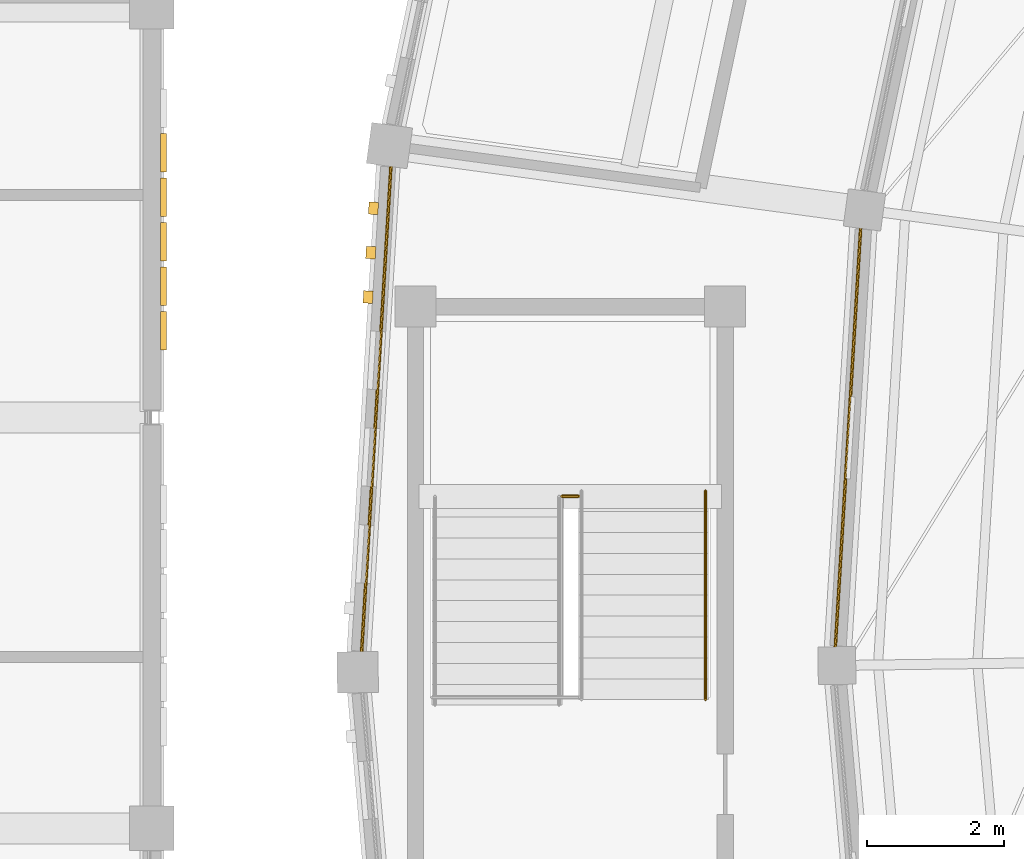
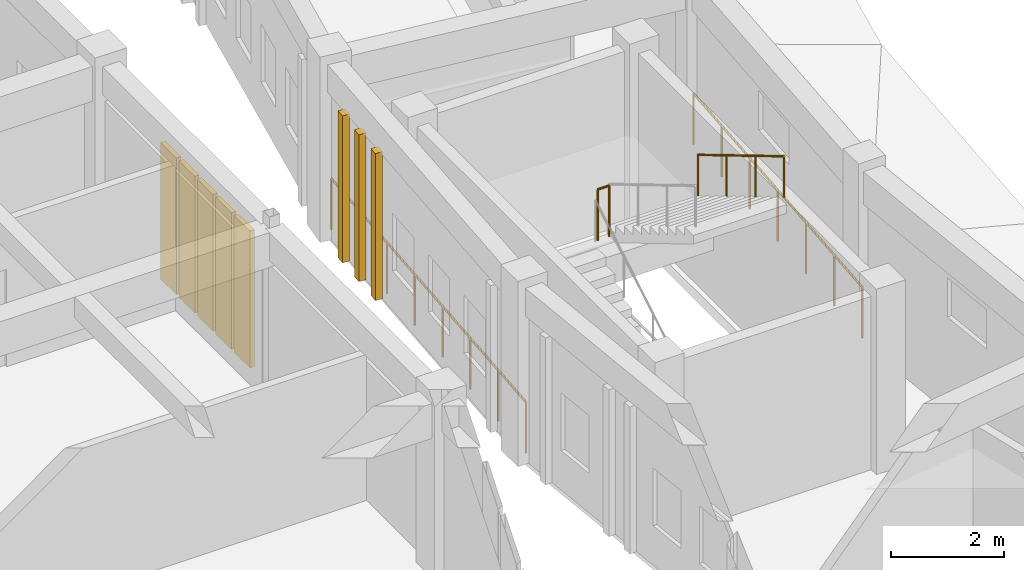
# One storey, part 99 of 112: 5 shading devices, 4 railings, 3 coverings.
"""IFC4 building model written with IfcOpenShell, lengths in metres."""

from ifc_helpers import new_model, si_unit, direction, frame, origin, origin_2d, place, context, subcontext, project, spatial, rectangle, circle, extrude, material, layer, layer_set, type_object, element, save


model = new_model("IFC4")

# Units and contexts
model_context = context("Model", 3, precision=1e-05, world=origin(), true_north=direction((0.0, 1.0)))
body_context = subcontext(model_context, "Body", "Model", "MODEL_VIEW")
ifc_project = project(units=[si_unit("LENGTHUNIT", "METRE"), si_unit("AREAUNIT", "SQUARE_METRE"), si_unit("VOLUMEUNIT", "CUBIC_METRE"), si_unit("PLANEANGLEUNIT", "RADIAN"), si_unit("MASSUNIT", "GRAM", prefix="KILO")], contexts=[model_context])

# Site, building, storey
site_placement = place(None, origin())
site = spatial("IfcSite", under=ifc_project, at=site_placement, CompositionType="ELEMENT")
building_placement = place(site_placement, origin())
building = spatial("IfcBuilding", under=site, at=building_placement, Name="Celadon Cloister-Ring School", CompositionType="ELEMENT")
storey_placement = place(building_placement, frame((0.0, 0.0, 8.5)))
storey = spatial("IfcBuildingStorey", under=building, at=storey_placement, Name="L02", CompositionType="ELEMENT", Elevation=8.5)

# Coverings
ifc_material_1 = material(Name="Perforated terracotta clay brick masonry", Category="masonry")
ifc_layer = layer(ifc_material_1, 0.139892578125)
ifc_layer_set = layer_set([ifc_layer], Name="Perforated terracotta clay brick masonry")
covering_type = type_object("IfcCoveringType", Name="CV-SC1", PredefinedType="CLADDING", material=ifc_layer_set)
for number, where, z_axis, x_axis, name in (
    (1, (35.157958984375, 63.759033203125, 0.0), (0.0, 0.0, 1.0), (0.060142636109, 0.998189793237, 0.0), "Brick Screen Rib 0249"),
    (2, (35.197021484375, 64.407958984375, 0.0), (0.0, 0.0, 1.0), (0.060142636109, 0.998189793237, 0.0), "Brick Screen Rib 0250"),
    (3, (35.236083984375, 65.055908203125, 0.0), (0.0, 0.0, 1.0), (0.060142636109, 0.998189793237, 0.0), "Brick Screen Rib 0251"),
):
    element("IfcCovering", number, at=place(storey_placement, frame(where, z_axis=z_axis, x_axis=x_axis)), inside=storey, type_object=covering_type, Name=name, PredefinedType="CLADDING", context=body_context, shape_type="SweptSolid", body=[
        extrude(rectangle(XDim=0.179931640625, YDim=0.139892578125, at=origin_2d()), origin(), (0.0, 0.0, 1.0), 3.172119140625),
    ])

# Railings
ifc_material_2 = material(Name="Structural steel S355JR", Category="steel")
railing_type_1 = type_object("IfcRailingType", Name="RL-BL1", PredefinedType="BALUSTRADE", material=ifc_material_2)
railing_1_placement = place(storey_placement, frame((35.509033203125, 65.966064453125, 0.0)))
element("IfcRailing", 4, at=railing_1_placement, inside=storey, type_object=railing_type_1, Name="Terrace Balustrade 0079", PredefinedType="BALUSTRADE", context=body_context, shape_type="SweptSolid", body=[
    extrude(circle(Radius=0.02392578125, at=origin_2d()), frame((0.0, 0.0, 1.09619140625), z_axis=(-0.060289190769, -0.998180952271, 0.0), x_axis=(0.998180952271, -0.060289190769, 0.0)), (0.0, 0.0, 1.0), 7.697998046875),
    extrude(circle(Radius=0.02099609375, at=origin_2d()), origin(), (0.0, 0.0, 1.0), 1.072021484375),
    extrude(circle(Radius=0.02099609375, at=origin_2d()), frame((-0.06640625, -1.09765625, 0.0)), (0.0, 0.0, 1.0), 1.072021484375),
    extrude(circle(Radius=0.02099609375, at=origin_2d()), frame((-0.132568359375, -2.195556640625, 0.0)), (0.0, 0.0, 1.0), 1.072021484375),
    extrude(circle(Radius=0.02099609375, at=origin_2d()), frame((-0.198974609375, -3.293212890625, 0.0)), (0.0, 0.0, 1.0), 1.072021484375),
    extrude(circle(Radius=0.02099609375, at=origin_2d()), frame((-0.26513671875, -4.390869140625, 0.0)), (0.0, 0.0, 1.0), 1.072021484375),
    extrude(circle(Radius=0.02099609375, at=origin_2d()), frame((-0.33154296875, -5.488525390625, 0.0)), (0.0, 0.0, 1.0), 1.072021484375),
    extrude(circle(Radius=0.02099609375, at=origin_2d()), frame((-0.397705078125, -6.58642578125, 0.0)), (0.0, 0.0, 1.0), 1.072021484375),
    extrude(circle(Radius=0.02099609375, at=origin_2d()), frame((-0.464111328125, -7.68408203125, 0.0)), (0.0, 0.0, 1.0), 1.072021484375),
])
railing_2_placement = place(storey_placement, frame((42.366943359375, 65.0380859375, 0.0)))
element("IfcRailing", 5, at=railing_2_placement, inside=storey, type_object=railing_type_1, Name="Terrace Balustrade 0114", PredefinedType="BALUSTRADE", context=body_context, shape_type="SweptSolid", body=[
    extrude(circle(Radius=0.02392578125, at=origin_2d()), frame((0.0, 0.0, 1.09619140625), z_axis=(-0.060364720691, -0.998176387467, 0.0), x_axis=(0.998176387467, -0.060364720691, 0.0)), (0.0, 0.0, 1.0), 6.67333984375),
    extrude(circle(Radius=0.02099609375, at=origin_2d()), origin(), (0.0, 0.0, 1.0), 1.072021484375),
    extrude(circle(Radius=0.02099609375, at=origin_2d()), frame((-0.067138671875, -1.110107421875, 0.0)), (0.0, 0.0, 1.0), 1.072021484375),
    extrude(circle(Radius=0.02099609375, at=origin_2d()), frame((-0.13427734375, -2.220458984375, 0.0)), (0.0, 0.0, 1.0), 1.072021484375),
    extrude(circle(Radius=0.02099609375, at=origin_2d()), frame((-0.201416015625, -3.33056640625, 0.0)), (0.0, 0.0, 1.0), 1.072021484375),
    extrude(circle(Radius=0.02099609375, at=origin_2d()), frame((-0.2685546875, -4.440673828125, 0.0)), (0.0, 0.0, 1.0), 1.072021484375),
    extrude(circle(Radius=0.02099609375, at=origin_2d()), frame((-0.335693359375, -5.551025390625, 0.0)), (0.0, 0.0, 1.0), 1.072021484375),
    extrude(circle(Radius=0.02099609375, at=origin_2d()), frame((-0.40283203125, -6.6611328125, 0.0)), (0.0, 0.0, 1.0), 1.072021484375),
])
ifc_material_3 = material(Name="Structural steel S355JR", Category="steel")
railing_type_2 = type_object("IfcRailingType", Name="RL-BL2", PredefinedType="BALUSTRADE", material=ifc_material_3)
railing_3_placement = place(storey_placement, frame((37.989990234375, 60.85009765625, 2.0)))
element("IfcRailing", 6, at=railing_3_placement, inside=storey, type_object=railing_type_2, Name="Interior Guard 0248", PredefinedType="BALUSTRADE", context=body_context, shape_type="SweptSolid", body=[
    extrude(circle(Radius=0.02392578125, at=origin_2d()), frame((0.0, 0.0, 1.09619140625), z_axis=(1.0, 0.0, 0.0), x_axis=(0.0, 1.0, 0.0)), (0.0, 0.0, 1.0), 0.239990234375),
    extrude(circle(Radius=0.02099609375, at=origin_2d()), origin(), (0.0, 0.0, 1.0), 1.072021484375),
    extrude(circle(Radius=0.02099609375, at=origin_2d()), frame((0.239990234375, 0.0, 0.0)), (0.0, 0.0, 1.0), 1.072021484375),
])
ifc_material_4 = material(Name="Structural steel S355JR", Category="steel")
railing_type_3 = type_object("IfcRailingType", Name="RL-HR1", PredefinedType="HANDRAIL", material=ifc_material_4)
railing_4_placement = place(storey_placement, frame((40.0849609375, 60.929931640625, 2.181884765625)))
element("IfcRailing", 7, at=railing_4_placement, inside=storey, type_object=railing_type_3, Name="Stair Handrail 0247", PredefinedType="HANDRAIL", context=body_context, shape_type="SweptSolid", body=[
    extrude(circle(Radius=0.02099609375, at=origin_2d()), frame((0.0, 0.0, 0.87890625), z_axis=(0.0, -0.858969654429, 0.51202649616), x_axis=(1.0, 0.0, 0.0)), (0.0, 0.0, 1.0), 3.55078125),
    extrude(circle(Radius=0.01806640625, at=origin_2d()), origin(), (0.0, 0.0, 1.0), 0.85791015625),
    extrude(circle(Radius=0.01806640625, at=origin_2d()), frame((0.0, -1.0166015625, 0.60595703125)), (0.0, 0.0, 1.0), 0.85791015625),
    extrude(circle(Radius=0.01806640625, at=origin_2d()), frame((0.0, -2.033447265625, 1.212158203125)), (0.0, 0.0, 1.0), 0.85791015625),
    extrude(circle(Radius=0.01806640625, at=origin_2d()), frame((0.0, -3.050048828125, 1.818115234375)), (0.0, 0.0, 1.0), 0.85791015625),
])

# Shading devices
ifc_material_5 = material(Name="Glazed celadon architectural terracotta", Category="masonry")
shading_device_type = type_object("IfcShadingDeviceType", Name="SD-01", PredefinedType="USERDEFINED", material=ifc_material_5)
for number, where, z_axis, x_axis, name in (
    (8, (32.172119140625, 65.867919921875, 0.0), (0.0, 0.0, 1.0), (0.0, -1.0, 0.0), "Celadon Sunshade Screen 0187"),
    (9, (32.172119140625, 65.218017578125, 0.0), (0.0, 0.0, 1.0), (0.0, -1.0, 0.0), "Celadon Sunshade Screen 0188"),
    (10, (32.172119140625, 64.56689453125, 0.0), (0.0, 0.0, 1.0), (0.0, -1.0, 0.0), "Celadon Sunshade Screen 0189"),
    (11, (32.172119140625, 63.91796875, 0.0), (0.0, 0.0, 1.0), (0.0, -1.0, 0.0), "Celadon Sunshade Screen 0190"),
    (12, (32.172119140625, 63.26708984375, 0.0), (0.0, 0.0, 1.0), (0.0, -1.0, 0.0), "Celadon Sunshade Screen 0191"),
):
    element("IfcShadingDevice", number, at=place(storey_placement, frame(where, z_axis=z_axis, x_axis=x_axis)), inside=storey, type_object=shading_device_type, Name=name, ObjectType="SUNSHADE", PredefinedType="USERDEFINED", context=body_context, shape_type="SweptSolid", body=[
        extrude(rectangle(XDim=0.56005859375, YDim=0.090087890625, at=origin_2d()), origin(), (0.0, 0.0, 1.0), 2.949951171875),
    ])

save(model, "model.ifc")
